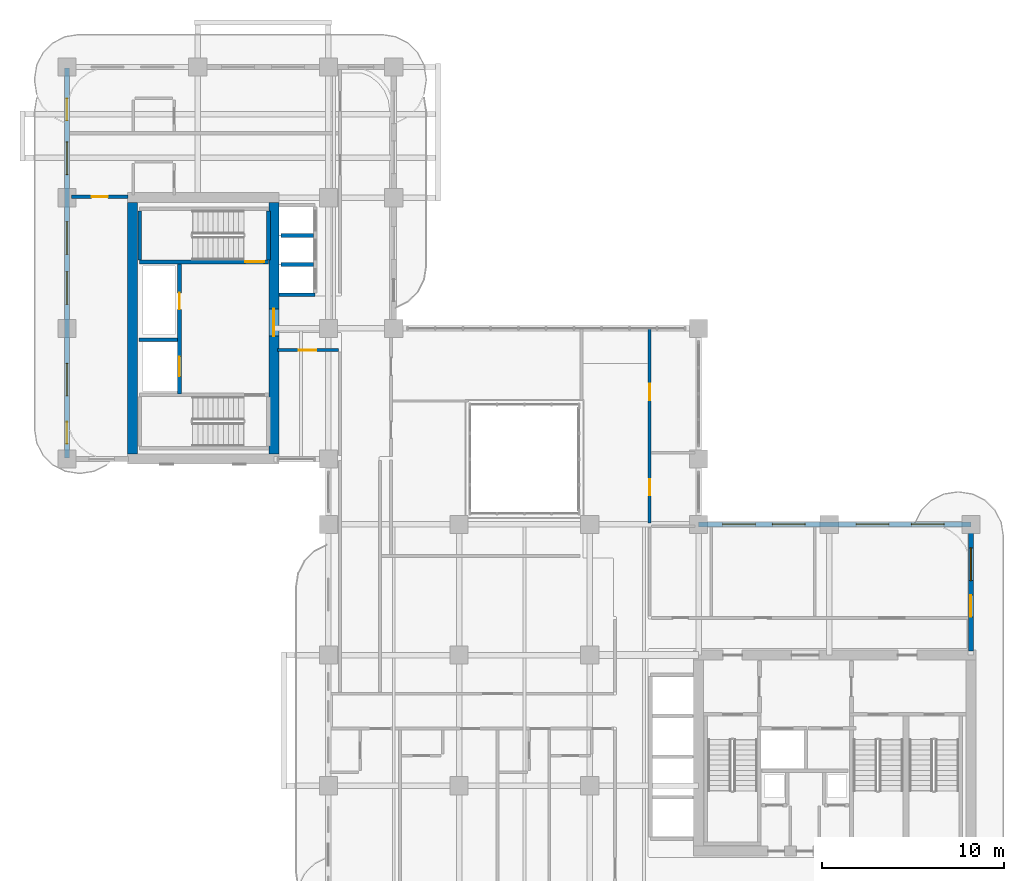
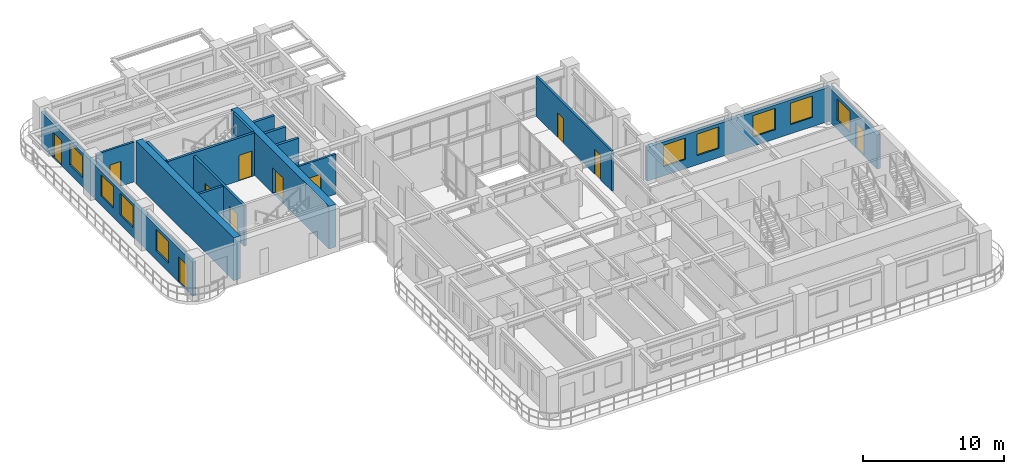
# One storey, part 14 of 20: 16 walls, 11 doors, 9 windows, 20 openings.
"""IFC4 building model written with IfcOpenShell, lengths in metres."""

from ifc_helpers import new_model, si_unit, derived_unit, direction, frame, frame_2d, origin, place, context, subcontext, project, spatial, rectangle, extrude, source, transform, mapped, material, layer, layer_set, type_object, type_shapes, element, fill, save


model = new_model("IFC4")

# Units and contexts
model_context = context("Model", 3, precision=1e-05, world=origin(), true_north=direction((0.0, 1.0)))
body_context = subcontext(model_context, "Body", "Model", "MODEL_VIEW")
ifc_project = project(units=[si_unit("LENGTHUNIT", "METRE"), si_unit("AREAUNIT", "SQUARE_METRE"), si_unit("VOLUMEUNIT", "CUBIC_METRE"), si_unit("PLANEANGLEUNIT", "RADIAN"), si_unit("MASSUNIT", "GRAM", prefix="KILO"), si_unit("THERMODYNAMICTEMPERATUREUNIT", "KELVIN"), si_unit("POWERUNIT", "WATT"), derived_unit("THERMALTRANSMITTANCEUNIT", [(si_unit("POWERUNIT", "WATT"), 1), (si_unit("AREAUNIT", "SQUARE_METRE"), -1), (si_unit("THERMODYNAMICTEMPERATUREUNIT", "KELVIN"), -1)])], contexts=[model_context])

# Site, building, storey
site_placement = place(None, origin())
site = spatial("IfcSite", under=ifc_project, at=site_placement, CompositionType="ELEMENT")
building_placement = place(site_placement, origin())
building = spatial("IfcBuilding", under=site, at=building_placement, Name="Zahravan Archway Hotel and Residences", CompositionType="ELEMENT")
storey_placement = place(building_placement, frame((0.0, 0.0, 126.60009765625)))
storey = spatial("IfcBuildingStorey", under=building, at=storey_placement, Name="L31", CompositionType="ELEMENT", Elevation=126.60009765625)

# Wall
ifc_material_1 = material(Name="Concrete C70/85", Category="concrete")
ifc_layer_1 = layer(ifc_material_1, 0.550048828125, Name="Concrete C70/85", Category="concrete")
ifc_layer_set_1 = layer_set([ifc_layer_1], Name="Concrete C70/85")
wall_type_1 = type_object("IfcWallType", Name="CW-CORE-550", PredefinedType="SHEAR", material=ifc_layer_set_1)
wall_1_placement = place(storey_placement, frame((3.60009765625, 25.47509765625, 0.0), z_axis=(0.0, 0.0, 1.0), x_axis=(0.0, 1.0, 0.0)))
element("IfcWall", 1, at=wall_1_placement, inside=storey, type_object=wall_type_1, Name="L31 Core B Shear W Wall 550 mm", PredefinedType="SHEAR", context=body_context, shape_type="SweptSolid", body=[
    extrude(rectangle(XDim=13.849853515625, YDim=0.550048828125, at=frame_2d((6.9248046875, 0.0))), origin(), (0.0, 0.0, 1.0), 3.699951171875),
])

# Wall, opening, door
wall_2_placement = place(storey_placement, frame((11.39990234375, 25.47509765625, 0.0), z_axis=(0.0, 0.0, 1.0), x_axis=(0.0, 1.0, 0.0)))
wall_2 = element("IfcWall", 2, at=wall_2_placement, inside=storey, type_object=wall_type_1, Name="L31 Core B Shear E Wall 550 mm", PredefinedType="SHEAR", context=body_context, shape_type="SweptSolid", body=[
    extrude(rectangle(XDim=13.849853515625, YDim=0.550048828125, at=frame_2d((6.9248046875, 0.0))), origin(), (0.0, 0.0, 1.0), 3.699951171875),
])
opening_1_placement = place(wall_2_placement, frame((6.4951171875, 0.0, 0.0)))
opening_1 = element("IfcOpeningElement", 3, at=opening_1_placement, cuts=wall_2, Name="Opening FD-L1", PredefinedType="OPENING", context=body_context, shape_type="SweptSolid", body=[
    extrude(rectangle(XDim=1.5, YDim=2.199951171875, at=frame_2d((0.75, 1.10009765625))), frame((0.0, 0.28515625, 0.0), z_axis=(0.0, -1.0, 0.0), x_axis=(1.0, 0.0, 0.0)), (0.0, 0.0, 1.0), 0.570068359375),
])
ifc_material_2 = material(Name="Fire-Rated Painted Steel", Category="steel")
door_type_1 = type_object("IfcDoorType", Name="FD-LOBBY-1500", OperationType="DOUBLE_DOOR_SINGLE_SWING", PredefinedType="DOOR", material=ifc_material_2)
shared_shape_1 = source(origin(), body_context, "Body", "SweptSolid", [
    extrude(rectangle(XDim=1.5, YDim=2.199951171875, at=frame_2d((0.75, 1.10009765625))), frame((0.0, 0.02490234375, 0.0), z_axis=(0.0, -1.0, 0.0), x_axis=(1.0, 0.0, 0.0)), (0.0, 0.0, 1.0), 0.050048828125),
])
type_shapes(door_type_1, [shared_shape_1])
door_1_placement = place(opening_1_placement, origin())
door_1 = element("IfcDoor", 4, at=door_1_placement, inside=storey, type_object=door_type_1, Name="L31 Core B FSAE Lobby Door", OperationType="DOUBLE_DOOR_SINGLE_SWING", OverallHeight=2.199951171875, OverallWidth=1.5, PredefinedType="DOOR", context=body_context, shape_type="MappedRepresentation", body=[
    mapped(shared_shape_1, transform((0.0, 0.0, 0.0), scale=1.0)),
])
fill(opening_1, door_1)

# Wall, openings, door, window
ifc_material_3 = material(Name="Honed Red-Ochre Sandstone & Insulated Block", Category="masonry")
ifc_layer_2 = layer(ifc_material_3, 0.280029296875, Name="Honed Red-Ochre Sandstone & Insulated Block", Category="masonry")
ifc_layer_set_2 = layer_set([ifc_layer_2], Name="Honed Red-Ochre Sandstone & Insulated Block")
wall_type_2 = type_object("IfcWallType", Name="EW-LOG-280", PredefinedType="SOLIDWALL", material=ifc_layer_set_2)
wall_3_placement = place(storey_placement, frame((49.800048828125, 14.6201171875, 0.0), z_axis=(0.0, 0.0, 1.0), x_axis=(0.0, 1.0, 0.0)))
wall_3 = element("IfcWall", 5, at=wall_3_placement, inside=storey, type_object=wall_type_2, Name="L31 Exterior Sandstone Wall WA-EN", PredefinedType="SOLIDWALL", context=body_context, shape_type="SweptSolid", body=[
    extrude(rectangle(XDim=6.929931640625, YDim=0.280029296875, at=frame_2d((3.46484375, 0.0))), origin(), (0.0, 0.0, 1.0), 2.934814453125),
])
opening_2_placement = place(wall_3_placement, frame((1.888916015625, 0.0, 0.0)))
opening_2 = element("IfcOpeningElement", 6, at=opening_2_placement, cuts=wall_3, Name="Opening ED-BL1", PredefinedType="OPENING", context=body_context, shape_type="SweptSolid", body=[
    extrude(rectangle(XDim=1.199951171875, YDim=2.199951171875, at=frame_2d((0.60009765625, 1.10009765625))), frame((0.0, 0.14990234375, 0.0), z_axis=(0.0, -1.0, 0.0), x_axis=(1.0, 0.0, 0.0)), (0.0, 0.0, 1.0), 0.300048828125),
])
opening_3_placement = place(wall_3_placement, frame((3.884033203125, 0.0, 0.800048828125)))
opening_3 = element("IfcOpeningElement", 7, at=opening_3_placement, cuts=wall_3, Name="Opening W-02", PredefinedType="OPENING", context=body_context, shape_type="SweptSolid", body=[
    extrude(rectangle(XDim=1.800048828125, YDim=1.85009765625, at=frame_2d((0.89990234375, 0.925048828125))), frame((0.0, 0.14990234375, 0.0), z_axis=(0.0, -1.0, 0.0), x_axis=(1.0, 0.0, 0.0)), (0.0, 0.0, 1.0), 0.300048828125),
])
ifc_material_4 = material(Name="Bronze-Anodized Glazed Aluminium", Category="aluminium")
door_type_2 = type_object("IfcDoorType", Name="ED-BALC-1200", OperationType="SLIDING_TO_LEFT", PredefinedType="DOOR", material=ifc_material_4)
shared_shape_2 = source(origin(), body_context, "Body", "SweptSolid", [
    extrude(rectangle(XDim=1.199951171875, YDim=2.199951171875, at=frame_2d((0.60009765625, 1.10009765625))), frame((0.0, 0.02490234375, 0.0), z_axis=(0.0, -1.0, 0.0), x_axis=(1.0, 0.0, 0.0)), (0.0, 0.0, 1.0), 0.050048828125),
])
type_shapes(door_type_2, [shared_shape_2])
door_2_placement = place(opening_2_placement, origin())
door_2 = element("IfcDoor", 8, at=door_2_placement, inside=storey, type_object=door_type_2, Name="L31 Outdoor Access Sliding Door (SLB-BAL-L31-EA)", OperationType="SLIDING_TO_LEFT", OverallHeight=2.199951171875, OverallWidth=1.199951171875, PredefinedType="DOOR", context=body_context, shape_type="MappedRepresentation", body=[
    mapped(shared_shape_2, transform((0.0, 0.0, 0.0), scale=1.0)),
])
fill(opening_2, door_2)
ifc_material_5 = material(Name="Bronze-Anodized Thermal-Break Aluminium & Low-E Glass", Category="aluminium")
window_type = type_object("IfcWindowType", Name="WIN-TWR-1800", PartitioningType="DOUBLE_PANEL_VERTICAL", PredefinedType="WINDOW", material=ifc_material_5)
shared_shape_3 = source(origin(), body_context, "Body", "SweptSolid", [
    extrude(rectangle(XDim=1.800048828125, YDim=1.85009765625, at=frame_2d((0.89990234375, 0.925048828125))), frame((0.0, 0.030029296875, 0.0), z_axis=(0.0, -1.0, 0.0), x_axis=(1.0, 0.0, 0.0)), (0.0, 0.0, 1.0), 0.06005859375),
])
type_shapes(window_type, [shared_shape_3])
window_1_placement = place(opening_3_placement, origin())
window_1 = element("IfcWindow", 9, at=window_1_placement, inside=storey, type_object=window_type, Name="L31 Loggia Window 11", OverallHeight=1.85009765625, OverallWidth=1.800048828125, PartitioningType="DOUBLE_PANEL_VERTICAL", PredefinedType="WINDOW", context=body_context, shape_type="MappedRepresentation", body=[
    mapped(shared_shape_3, transform((0.0, 0.0, 0.0), scale=1.0)),
])
fill(opening_3, window_1)

# Wall, openings, windows
wall_4_placement = place(storey_placement, frame((34.800048828125, 21.60009765625, 0.0), z_axis=(0.0, 0.0, 1.0), x_axis=(1.0, 0.0, 0.0)))
wall_4 = element("IfcWall", 10, at=wall_4_placement, inside=storey, type_object=wall_type_2, Name="L31 Exterior Sandstone Wall WA-NE", PredefinedType="SOLIDWALL", context=body_context, shape_type="SweptSolid", body=[
    extrude(rectangle(XDim=15.0, YDim=0.280029296875, at=frame_2d((7.5, 0.0))), origin(), (0.0, 0.0, 1.0), 2.934814453125),
])
opening_4_placement = place(wall_4_placement, frame((1.322998046875, 0.0, 0.800048828125)))
opening_4 = element("IfcOpeningElement", 11, at=opening_4_placement, cuts=wall_4, Name="Opening W-02", PredefinedType="OPENING", context=body_context, shape_type="SweptSolid", body=[
    extrude(rectangle(XDim=1.800048828125, YDim=1.85009765625, at=frame_2d((0.89990234375, 0.925048828125))), frame((0.0, 0.14990234375, 0.0), z_axis=(0.0, -1.0, 0.0), x_axis=(1.0, 0.0, 0.0)), (0.0, 0.0, 1.0), 0.300048828125),
])
opening_5_placement = place(wall_4_placement, frame((4.069091796875, 0.0, 0.800048828125)))
opening_5 = element("IfcOpeningElement", 12, at=opening_5_placement, cuts=wall_4, Name="Opening W-02", PredefinedType="OPENING", context=body_context, shape_type="SweptSolid", body=[
    extrude(rectangle(XDim=1.800048828125, YDim=1.85009765625, at=frame_2d((0.89990234375, 0.925048828125))), frame((0.0, 0.14990234375, 0.0), z_axis=(0.0, -1.0, 0.0), x_axis=(1.0, 0.0, 0.0)), (0.0, 0.0, 1.0), 0.300048828125),
])
opening_6_placement = place(wall_4_placement, frame((8.675048828125, 0.0, 0.800048828125)))
opening_6 = element("IfcOpeningElement", 13, at=opening_6_placement, cuts=wall_4, Name="Opening W-02", PredefinedType="OPENING", context=body_context, shape_type="SweptSolid", body=[
    extrude(rectangle(XDim=1.800048828125, YDim=1.85009765625, at=frame_2d((0.89990234375, 0.925048828125))), frame((0.0, 0.14990234375, 0.0), z_axis=(0.0, -1.0, 0.0), x_axis=(1.0, 0.0, 0.0)), (0.0, 0.0, 1.0), 0.300048828125),
])
opening_7_placement = place(wall_4_placement, frame((11.72509765625, 0.0, 0.800048828125)))
opening_7 = element("IfcOpeningElement", 14, at=opening_7_placement, cuts=wall_4, Name="Opening W-02", PredefinedType="OPENING", context=body_context, shape_type="SweptSolid", body=[
    extrude(rectangle(XDim=1.800048828125, YDim=1.85009765625, at=frame_2d((0.89990234375, 0.925048828125))), frame((0.0, 0.14990234375, 0.0), z_axis=(0.0, -1.0, 0.0), x_axis=(1.0, 0.0, 0.0)), (0.0, 0.0, 1.0), 0.300048828125),
])
window_2_placement = place(opening_4_placement, origin())
window_2 = element("IfcWindow", 15, at=window_2_placement, inside=storey, type_object=window_type, Name="L31 Loggia Window 12", OverallHeight=1.85009765625, OverallWidth=1.800048828125, PartitioningType="DOUBLE_PANEL_VERTICAL", PredefinedType="WINDOW", context=body_context, shape_type="MappedRepresentation", body=[
    mapped(shared_shape_3, transform((0.0, 0.0, 0.0), scale=1.0)),
])
fill(opening_4, window_2)
window_3_placement = place(opening_5_placement, origin())
window_3 = element("IfcWindow", 16, at=window_3_placement, inside=storey, type_object=window_type, Name="L31 Loggia Window 13", OverallHeight=1.85009765625, OverallWidth=1.800048828125, PartitioningType="DOUBLE_PANEL_VERTICAL", PredefinedType="WINDOW", context=body_context, shape_type="MappedRepresentation", body=[
    mapped(shared_shape_3, transform((0.0, 0.0, 0.0), scale=1.0)),
])
fill(opening_5, window_3)
window_4_placement = place(opening_6_placement, origin())
window_4 = element("IfcWindow", 17, at=window_4_placement, inside=storey, type_object=window_type, Name="L31 Loggia Window 14", OverallHeight=1.85009765625, OverallWidth=1.800048828125, PartitioningType="DOUBLE_PANEL_VERTICAL", PredefinedType="WINDOW", context=body_context, shape_type="MappedRepresentation", body=[
    mapped(shared_shape_3, transform((0.0, 0.0, 0.0), scale=1.0)),
])
fill(opening_6, window_4)
window_5_placement = place(opening_7_placement, origin())
window_5 = element("IfcWindow", 18, at=window_5_placement, inside=storey, type_object=window_type, Name="L31 Loggia Window 15", OverallHeight=1.85009765625, OverallWidth=1.800048828125, PartitioningType="DOUBLE_PANEL_VERTICAL", PredefinedType="WINDOW", context=body_context, shape_type="MappedRepresentation", body=[
    mapped(shared_shape_3, transform((0.0, 0.0, 0.0), scale=1.0)),
])
fill(opening_7, window_5)

# Wall, openings, doors, windows
wall_5_placement = place(storey_placement, frame((0.0, 25.25, 0.0), z_axis=(0.0, 0.0, 1.0), x_axis=(0.0, 1.0, 0.0)))
wall_5 = element("IfcWall", 19, at=wall_5_placement, inside=storey, type_object=wall_type_2, Name="L31 Exterior Sandstone Wall WB-W", PredefinedType="SOLIDWALL", context=body_context, shape_type="SweptSolid", body=[
    extrude(rectangle(XDim=21.5, YDim=0.280029296875, at=frame_2d((10.75, 0.0))), origin(), (0.0, 0.0, 1.0), 2.934814453125),
])
opening_8_placement = place(wall_5_placement, frame((18.60693359375, 0.0, 0.0)))
opening_8 = element("IfcOpeningElement", 20, at=opening_8_placement, cuts=wall_5, Name="Opening ED-BL1", PredefinedType="OPENING", context=body_context, shape_type="SweptSolid", body=[
    extrude(rectangle(XDim=1.199951171875, YDim=2.199951171875, at=frame_2d((0.60009765625, 1.10009765625))), frame((0.0, 0.14990234375, 0.0), z_axis=(0.0, -1.0, 0.0), x_axis=(1.0, 0.0, 0.0)), (0.0, 0.0, 1.0), 0.300048828125),
])
opening_9_placement = place(wall_5_placement, frame((0.800048828125, 0.0, 0.0)))
opening_9 = element("IfcOpeningElement", 21, at=opening_9_placement, cuts=wall_5, Name="Opening ED-BL1", PredefinedType="OPENING", context=body_context, shape_type="SweptSolid", body=[
    extrude(rectangle(XDim=1.199951171875, YDim=2.199951171875, at=frame_2d((0.60009765625, 1.10009765625))), frame((0.0, 0.14990234375, 0.0), z_axis=(0.0, -1.0, 0.0), x_axis=(1.0, 0.0, 0.0)), (0.0, 0.0, 1.0), 0.300048828125),
])
opening_10_placement = place(wall_5_placement, frame((3.425048828125, 0.0, 0.800048828125)))
opening_10 = element("IfcOpeningElement", 22, at=opening_10_placement, cuts=wall_5, Name="Opening W-02", PredefinedType="OPENING", context=body_context, shape_type="SweptSolid", body=[
    extrude(rectangle(XDim=1.800048828125, YDim=1.85009765625, at=frame_2d((0.89990234375, 0.925048828125))), frame((0.0, 0.14990234375, 0.0), z_axis=(0.0, -1.0, 0.0), x_axis=(1.0, 0.0, 0.0)), (0.0, 0.0, 1.0), 0.300048828125),
])
opening_11_placement = place(wall_5_placement, frame((8.47509765625, 0.0, 0.800048828125)))
opening_11 = element("IfcOpeningElement", 23, at=opening_11_placement, cuts=wall_5, Name="Opening W-02", PredefinedType="OPENING", context=body_context, shape_type="SweptSolid", body=[
    extrude(rectangle(XDim=1.800048828125, YDim=1.85009765625, at=frame_2d((0.89990234375, 0.925048828125))), frame((0.0, 0.14990234375, 0.0), z_axis=(0.0, -1.0, 0.0), x_axis=(1.0, 0.0, 0.0)), (0.0, 0.0, 1.0), 0.300048828125),
])
opening_12_placement = place(wall_5_placement, frame((11.22509765625, 0.0, 0.800048828125)))
opening_12 = element("IfcOpeningElement", 24, at=opening_12_placement, cuts=wall_5, Name="Opening W-02", PredefinedType="OPENING", context=body_context, shape_type="SweptSolid", body=[
    extrude(rectangle(XDim=1.800048828125, YDim=1.85009765625, at=frame_2d((0.89990234375, 0.925048828125))), frame((0.0, 0.14990234375, 0.0), z_axis=(0.0, -1.0, 0.0), x_axis=(1.0, 0.0, 0.0)), (0.0, 0.0, 1.0), 0.300048828125),
])
opening_13_placement = place(wall_5_placement, frame((15.62109375, 0.0, 0.800048828125)))
opening_13 = element("IfcOpeningElement", 25, at=opening_13_placement, cuts=wall_5, Name="Opening W-02", PredefinedType="OPENING", context=body_context, shape_type="SweptSolid", body=[
    extrude(rectangle(XDim=1.800048828125, YDim=1.85009765625, at=frame_2d((0.89990234375, 0.925048828125))), frame((0.0, 0.14990234375, 0.0), z_axis=(0.0, -1.0, 0.0), x_axis=(1.0, 0.0, 0.0)), (0.0, 0.0, 1.0), 0.300048828125),
])
door_3_placement = place(opening_8_placement, origin())
door_3 = element("IfcDoor", 26, at=door_3_placement, inside=storey, type_object=door_type_2, Name="L31 Outdoor Access Sliding Door (SLB-BAL-L31-NB)", OperationType="SLIDING_TO_LEFT", OverallHeight=2.199951171875, OverallWidth=1.199951171875, PredefinedType="DOOR", context=body_context, shape_type="MappedRepresentation", body=[
    mapped(shared_shape_2, transform((0.0, 0.0, 0.0), scale=1.0)),
])
fill(opening_8, door_3)
door_4_placement = place(opening_9_placement, origin())
door_4 = element("IfcDoor", 27, at=door_4_placement, inside=storey, type_object=door_type_2, Name="L31 Outdoor Access Sliding Door (SLB-BAL-L31-WB)", OperationType="SLIDING_TO_LEFT", OverallHeight=2.199951171875, OverallWidth=1.199951171875, PredefinedType="DOOR", context=body_context, shape_type="MappedRepresentation", body=[
    mapped(shared_shape_2, transform((0.0, 0.0, 0.0), scale=1.0)),
])
fill(opening_9, door_4)
window_6_placement = place(opening_10_placement, origin())
window_6 = element("IfcWindow", 28, at=window_6_placement, inside=storey, type_object=window_type, Name="L31 Loggia Window 23", OverallHeight=1.85009765625, OverallWidth=1.800048828125, PartitioningType="DOUBLE_PANEL_VERTICAL", PredefinedType="WINDOW", context=body_context, shape_type="MappedRepresentation", body=[
    mapped(shared_shape_3, transform((0.0, 0.0, 0.0), scale=1.0)),
])
fill(opening_10, window_6)
window_7_placement = place(opening_11_placement, origin())
window_7 = element("IfcWindow", 29, at=window_7_placement, inside=storey, type_object=window_type, Name="L31 Loggia Window 24", OverallHeight=1.85009765625, OverallWidth=1.800048828125, PartitioningType="DOUBLE_PANEL_VERTICAL", PredefinedType="WINDOW", context=body_context, shape_type="MappedRepresentation", body=[
    mapped(shared_shape_3, transform((0.0, 0.0, 0.0), scale=1.0)),
])
fill(opening_11, window_7)
window_8_placement = place(opening_12_placement, origin())
window_8 = element("IfcWindow", 30, at=window_8_placement, inside=storey, type_object=window_type, Name="L31 Loggia Window 25", OverallHeight=1.85009765625, OverallWidth=1.800048828125, PartitioningType="DOUBLE_PANEL_VERTICAL", PredefinedType="WINDOW", context=body_context, shape_type="MappedRepresentation", body=[
    mapped(shared_shape_3, transform((0.0, 0.0, 0.0), scale=1.0)),
])
fill(opening_12, window_8)
window_9_placement = place(opening_13_placement, origin())
window_9 = element("IfcWindow", 31, at=window_9_placement, inside=storey, type_object=window_type, Name="L31 Loggia Window 26", OverallHeight=1.85009765625, OverallWidth=1.800048828125, PartitioningType="DOUBLE_PANEL_VERTICAL", PredefinedType="WINDOW", context=body_context, shape_type="MappedRepresentation", body=[
    mapped(shared_shape_3, transform((0.0, 0.0, 0.0), scale=1.0)),
])
fill(opening_13, window_9)

# Wall, openings, doors
ifc_material_6 = material(Name="Fire-Rated Gypsum & Concrete Block", Category="concrete")
ifc_layer_3 = layer(ifc_material_6, 0.199951171875, Name="Fire-Rated Gypsum & Concrete Block", Category="concrete")
ifc_layer_set_3 = layer_set([ifc_layer_3], Name="Fire-Rated Gypsum & Concrete Block")
wall_type_3 = type_object("IfcWallType", Name="PW-SHAFT-200", PredefinedType="PARTITIONING", material=ifc_layer_set_3)
wall_6_placement = place(storey_placement, frame((6.199951171875, 28.7900390625, 0.0), z_axis=(0.0, 0.0, 1.0), x_axis=(0.0, 1.0, 0.0)))
wall_6 = element("IfcWall", 32, at=wall_6_placement, inside=storey, type_object=wall_type_3, Name="L31 Partition CB-FL3E", PredefinedType="PARTITIONING", context=body_context, shape_type="SweptSolid", body=[
    extrude(rectangle(XDim=7.219970703125, YDim=0.199951171875, at=frame_2d((3.60986328125, 0.0))), origin(), (0.0, 0.0, 1.0), 3.449951171875),
])
opening_14_placement = place(wall_6_placement, frame((4.659912109375, 0.0, 0.0)))
opening_14 = element("IfcOpeningElement", 33, at=opening_14_placement, cuts=wall_6, Name="Opening FD-R1", PredefinedType="OPENING", context=body_context, shape_type="SweptSolid", body=[
    extrude(rectangle(XDim=0.89990234375, YDim=2.10009765625, at=frame_2d((0.449951171875, 1.050048828125))), frame((0.0, 0.10986328125, 0.0), z_axis=(0.0, -1.0, 0.0), x_axis=(1.0, 0.0, 0.0)), (0.0, 0.0, 1.0), 0.219970703125),
])
opening_15_placement = place(wall_6_placement, frame((0.9599609375, 0.0, 0.0)))
opening_15 = element("IfcOpeningElement", 34, at=opening_15_placement, cuts=wall_6, Name="Opening LD", PredefinedType="OPENING", context=body_context, shape_type="SweptSolid", body=[
    extrude(rectangle(XDim=1.10009765625, YDim=2.199951171875, at=frame_2d((0.550048828125, 1.10009765625))), frame((0.0, 0.10986328125, 0.0), z_axis=(0.0, -1.0, 0.0), x_axis=(1.0, 0.0, 0.0)), (0.0, 0.0, 1.0), 0.219970703125),
])
door_type_3 = type_object("IfcDoorType", Name="FD-RISER-900", OperationType="NOTDEFINED", PredefinedType="DOOR", material=ifc_material_2)
shared_shape_4 = source(origin(), body_context, "Body", "SweptSolid", [
    extrude(rectangle(XDim=0.89990234375, YDim=2.10009765625, at=frame_2d((0.449951171875, 1.050048828125))), frame((0.0, 0.02490234375, 0.0), z_axis=(0.0, -1.0, 0.0), x_axis=(1.0, 0.0, 0.0)), (0.0, 0.0, 1.0), 0.050048828125),
])
type_shapes(door_type_3, [shared_shape_4])
door_5_placement = place(opening_14_placement, origin())
door_5 = element("IfcDoor", 35, at=door_5_placement, inside=storey, type_object=door_type_3, Name="L31 Core B Riser Door", OperationType="SINGLE_SWING_LEFT", OverallHeight=2.10009765625, OverallWidth=0.89990234375, PredefinedType="DOOR", context=body_context, shape_type="MappedRepresentation", body=[
    mapped(shared_shape_4, transform((0.0, 0.0, 0.0), scale=1.0)),
])
fill(opening_14, door_5)
ifc_material_7 = material(Name="Brushed Stainless Steel", Category="steel")
door_type_4 = type_object("IfcDoorType", Name="DR-LIFT-LD", OperationType="SLIDING_TO_LEFT", PredefinedType="DOOR", material=ifc_material_7)
shared_shape_5 = source(origin(), body_context, "Body", "SweptSolid", [
    extrude(rectangle(XDim=1.10009765625, YDim=2.199951171875, at=frame_2d((0.550048828125, 1.10009765625))), frame((0.0, 0.02490234375, 0.0), z_axis=(0.0, -1.0, 0.0), x_axis=(1.0, 0.0, 0.0)), (0.0, 0.0, 1.0), 0.050048828125),
])
type_shapes(door_type_4, [shared_shape_5])
door_6_placement = place(opening_15_placement, origin())
door_6 = element("IfcDoor", 36, at=door_6_placement, inside=storey, type_object=door_type_4, Name="L31 Lift FL-3 Sliding Landing Door", OperationType="SLIDING_TO_LEFT", OverallHeight=2.199951171875, OverallWidth=1.10009765625, PredefinedType="DOOR", context=body_context, shape_type="MappedRepresentation", body=[
    mapped(shared_shape_5, transform((0.0, 0.0, 0.0), scale=1.0)),
])
fill(opening_15, door_6)

# Walls
wall_7_placement = place(storey_placement, frame((3.9599609375, 31.780029296875, 0.0), z_axis=(0.0, 0.0, 1.0), x_axis=(1.0, 0.0, 0.0)))
element("IfcWall", 37, at=wall_7_placement, inside=storey, type_object=wall_type_3, Name="L31 Partition CB-FL3N", PredefinedType="PARTITIONING", context=body_context, shape_type="SweptSolid", body=[
    extrude(rectangle(XDim=2.130126953125, YDim=0.199951171875, at=frame_2d((1.06494140625, 0.0))), origin(), (0.0, 0.0, 1.0), 3.449951171875),
])
wall_8_placement = place(storey_placement, frame((11.68505859375, 34.25, 0.0), z_axis=(0.0, 0.0, 1.0), x_axis=(1.0, 0.0, 0.0)))
element("IfcWall", 38, at=wall_8_placement, inside=storey, type_object=wall_type_3, Name="L31 Partition B2-S", PredefinedType="PARTITIONING", context=body_context, shape_type="SweptSolid", body=[
    extrude(rectangle(XDim=1.98486328125, YDim=0.199951171875, at=frame_2d((0.992431640625, 0.0))), origin(), (0.0, 0.0, 1.0), 3.449951171875),
])
for number, where, z_axis, x_axis, name in (
    (39, (11.784912109375, 35.919921875, 0.0), (0.0, 0.0, 1.0), (1.0, 0.0, 0.0), "L31 Partition B2-D"),
    (40, (11.784912109375, 37.52001953125, 0.0), (0.0, 0.0, 1.0), (1.0, 0.0, 0.0), "L31 Partition B2-D"),
):
    element("IfcWall", number, at=place(storey_placement, frame(where, z_axis=z_axis, x_axis=x_axis)), inside=storey, type_object=wall_type_3, Name=name, PredefinedType="PARTITIONING", context=body_context, shape_type="SweptSolid", body=[
        extrude(rectangle(XDim=1.78515625, YDim=0.199951171875, at=frame_2d((0.892578125, 0.0))), origin(), (0.0, 0.0, 1.0), 3.449951171875),
    ])

# Wall, opening, door
ifc_material_8 = material(Name="Acoustic Stud Partition")
ifc_layer_4 = layer(ifc_material_8, 0.169921875, Name="Acoustic Stud Partition")
ifc_layer_set_4 = layer_set([ifc_layer_4], Name="Acoustic Stud Partition")
wall_type_4 = type_object("IfcWallType", Name="PW-UNIT-170", PredefinedType="PARTITIONING", material=ifc_layer_set_4)
wall_9_placement = place(storey_placement, frame((0.239990234375, 39.64990234375, 0.0), z_axis=(0.0, 0.0, 1.0), x_axis=(1.0, 0.0, 0.0)))
wall_9 = element("IfcWall", 41, at=wall_9_placement, inside=storey, type_object=wall_type_4, Name="L31 Partition WBW-N", PredefinedType="PARTITIONING", context=body_context, shape_type="SweptSolid", body=[
    extrude(rectangle(XDim=3.1201171875, YDim=0.169921875, at=frame_2d((1.56005859375, 0.0))), origin(), (0.0, 0.0, 1.0), 3.449951171875),
])
opening_16_placement = place(wall_9_placement, frame((1.110107421875, 0.0, 0.0)))
opening_16 = element("IfcOpeningElement", 42, at=opening_16_placement, cuts=wall_9, Name="Opening D-I2", PredefinedType="OPENING", context=body_context, shape_type="SweptSolid", body=[
    extrude(rectangle(XDim=0.89990234375, YDim=2.14990234375, at=frame_2d((0.449951171875, 1.074951171875))), frame((0.0, 0.094970703125, 0.0), z_axis=(0.0, -1.0, 0.0), x_axis=(1.0, 0.0, 0.0)), (0.0, 0.0, 1.0), 0.18994140625),
])
ifc_material_9 = material(Name="Hardwood Veneer Timber", Category="wood")
door_type_5 = type_object("IfcDoorType", Name="ID-INT-900", OperationType="NOTDEFINED", PredefinedType="DOOR", material=ifc_material_9)
shared_shape_6 = source(origin(), body_context, "Body", "SweptSolid", [
    extrude(rectangle(XDim=0.89990234375, YDim=2.14990234375, at=frame_2d((0.449951171875, 1.074951171875))), frame((0.0, 0.02490234375, 0.0), z_axis=(0.0, -1.0, 0.0), x_axis=(1.0, 0.0, 0.0)), (0.0, 0.0, 1.0), 0.050048828125),
])
type_shapes(door_type_5, [shared_shape_6])
door_7_placement = place(opening_16_placement, origin())
door_7 = element("IfcDoor", 43, at=door_7_placement, inside=storey, type_object=door_type_5, Name="L31 West Loggia Salon Door", OperationType="SINGLE_SWING_RIGHT", OverallHeight=2.14990234375, OverallWidth=0.89990234375, PredefinedType="DOOR", context=body_context, shape_type="MappedRepresentation", body=[
    mapped(shared_shape_6, transform((0.0, 0.0, 0.0), scale=1.0)),
])
fill(opening_16, door_7)

wall_10_placement = place(storey_placement, frame((11.590087890625, 31.199951171875, 0.0), z_axis=(0.0, 0.0, 1.0), x_axis=(1.0, 0.0, 0.0)))
wall_10 = element("IfcWall", 44, at=wall_10_placement, inside=storey, type_object=wall_type_4, Name="L31 Partition FB1-N", PredefinedType="PARTITIONING", context=body_context, shape_type="SweptSolid", body=[
    extrude(rectangle(XDim=3.369873046875, YDim=0.169921875, at=frame_2d((1.68505859375, 0.0))), origin(), (0.0, 0.0, 1.0), 3.449951171875),
])
opening_17_placement = place(wall_10_placement, frame((1.18505859375, 0.0, 0.0)))
opening_17 = element("IfcOpeningElement", 45, at=opening_17_placement, cuts=wall_10, Name="Opening D-I1", PredefinedType="OPENING", context=body_context, shape_type="SweptSolid", body=[
    extrude(rectangle(XDim=0.949951171875, YDim=2.14990234375, at=frame_2d((0.47509765625, 1.074951171875))), frame((0.0, 0.094970703125, 0.0), z_axis=(0.0, -1.0, 0.0), x_axis=(1.0, 0.0, 0.0)), (0.0, 0.0, 1.0), 0.18994140625),
])
door_type_6 = type_object("IfcDoorType", Name="ID-INT-950", OperationType="NOTDEFINED", PredefinedType="DOOR", material=ifc_material_9)
shared_shape_7 = source(origin(), body_context, "Body", "SweptSolid", [
    extrude(rectangle(XDim=0.949951171875, YDim=2.14990234375, at=frame_2d((0.47509765625, 1.074951171875))), frame((0.0, 0.02490234375, 0.0), z_axis=(0.0, -1.0, 0.0), x_axis=(1.0, 0.0, 0.0)), (0.0, 0.0, 1.0), 0.050048828125),
])
type_shapes(door_type_6, [shared_shape_7])
door_8_placement = place(opening_17_placement, origin())
door_8 = element("IfcDoor", 46, at=door_8_placement, inside=storey, type_object=door_type_6, Name="L31 Freed Bank 1 Reading Salon Door", OperationType="SINGLE_SWING_LEFT", OverallHeight=2.14990234375, OverallWidth=0.949951171875, PredefinedType="DOOR", context=body_context, shape_type="MappedRepresentation", body=[
    mapped(shared_shape_7, transform((0.0, 0.0, 0.0), scale=1.0)),
])
fill(opening_17, door_8)

# Wall, openings, doors
wall_11_placement = place(storey_placement, frame((32.10009765625, 21.669921875, 0.0), z_axis=(0.0, 0.0, 1.0), x_axis=(0.0, 1.0, 0.0)))
wall_11 = element("IfcWall", 47, at=wall_11_placement, inside=storey, type_object=wall_type_4, Name="L31 Partition ATR-E", PredefinedType="PARTITIONING", context=body_context, shape_type="SweptSolid", body=[
    extrude(rectangle(XDim=10.7021484375, YDim=0.169921875, at=frame_2d((5.35107421875, 0.0))), origin(), (0.0, 0.0, 1.0), 3.449951171875),
])
opening_18_placement = place(wall_11_placement, frame((1.530029296875, 0.0, 0.0)))
opening_18 = element("IfcOpeningElement", 48, at=opening_18_placement, cuts=wall_11, Name="Opening D-I2", PredefinedType="OPENING", context=body_context, shape_type="SweptSolid", body=[
    extrude(rectangle(XDim=0.89990234375, YDim=2.14990234375, at=frame_2d((0.449951171875, 1.074951171875))), frame((0.0, 0.094970703125, 0.0), z_axis=(0.0, -1.0, 0.0), x_axis=(1.0, 0.0, 0.0)), (0.0, 0.0, 1.0), 0.18994140625),
])
opening_19_placement = place(wall_11_placement, frame((6.780029296875, 0.0, 0.0)))
opening_19 = element("IfcOpeningElement", 49, at=opening_19_placement, cuts=wall_11, Name="Opening D-I2", PredefinedType="OPENING", context=body_context, shape_type="SweptSolid", body=[
    extrude(rectangle(XDim=0.89990234375, YDim=2.14990234375, at=frame_2d((0.449951171875, 1.074951171875))), frame((0.0, 0.094970703125, 0.0), z_axis=(0.0, -1.0, 0.0), x_axis=(1.0, 0.0, 0.0)), (0.0, 0.0, 1.0), 0.18994140625),
])
door_9_placement = place(opening_18_placement, origin())
door_9 = element("IfcDoor", 50, at=door_9_placement, inside=storey, type_object=door_type_5, Name="L31 Atrium Office Door", OperationType="SINGLE_SWING_RIGHT", OverallHeight=2.14990234375, OverallWidth=0.89990234375, PredefinedType="DOOR", context=body_context, shape_type="MappedRepresentation", body=[
    mapped(shared_shape_6, transform((0.0, 0.0, 0.0), scale=1.0)),
])
fill(opening_18, door_9)
door_10_placement = place(opening_19_placement, origin())
door_10 = element("IfcDoor", 51, at=door_10_placement, inside=storey, type_object=door_type_5, Name="L31 Atrium Boardroom Door", OperationType="SINGLE_SWING_LEFT", OverallHeight=2.14990234375, OverallWidth=0.89990234375, PredefinedType="DOOR", context=body_context, shape_type="MappedRepresentation", body=[
    mapped(shared_shape_6, transform((0.0, 0.0, 0.0), scale=1.0)),
])
fill(opening_19, door_10)

# Walls
ifc_material_10 = material(Name="Concrete C50/60", Category="concrete")
ifc_layer_5 = layer(ifc_material_10, 0.199951171875, Name="Concrete C50/60", Category="concrete")
ifc_layer_set_5 = layer_set([ifc_layer_5], Name="Concrete C50/60")
wall_type_5 = type_object("IfcWallType", Name="SW-STAIR-200", PredefinedType="SHEAR", material=ifc_layer_set_5)
for number, where, z_axis, x_axis, name in (
    (52, (4.0, 36.179931640625, 0.0), (0.0, 0.0, 1.0), (0.0, 1.0, 0.0), "L31 Stairwell RC Wall CB-SB2W"),
    (53, (11.10009765625, 36.179931640625, 0.0), (0.0, 0.0, 1.0), (0.0, 1.0, 0.0), "L31 Stairwell RC Wall CB-SB2E"),
):
    element("IfcWall", number, at=place(storey_placement, frame(where, z_axis=z_axis, x_axis=x_axis)), inside=storey, type_object=wall_type_5, Name=name, PredefinedType="SHEAR", context=body_context, shape_type="SweptSolid", body=[
        extrude(rectangle(XDim=2.699951171875, YDim=0.199951171875, at=frame_2d((1.35009765625, 0.0))), origin(), (0.0, 0.0, 1.0), 3.699951171875),
    ])

# Wall, opening, door
wall_12_placement = place(storey_placement, frame((4.0, 36.06005859375, 0.0), z_axis=(0.0, 0.0, 1.0), x_axis=(1.0, 0.0, 0.0)))
wall_12 = element("IfcWall", 54, at=wall_12_placement, inside=storey, type_object=wall_type_5, Name="L31 Stairwell RC Wall CB-SB2S", PredefinedType="SHEAR", context=body_context, shape_type="SweptSolid", body=[
    extrude(rectangle(XDim=7.10009765625, YDim=0.199951171875, at=frame_2d((3.550048828125, 0.0))), origin(), (0.0, 0.0, 1.0), 3.699951171875),
])
opening_20_placement = place(wall_12_placement, frame((5.81494140625, 0.0, 0.0)))
opening_20 = element("IfcOpeningElement", 55, at=opening_20_placement, cuts=wall_12, Name="Opening FD-S1", PredefinedType="OPENING", context=body_context, shape_type="SweptSolid", body=[
    extrude(rectangle(XDim=1.050048828125, YDim=2.199951171875, at=frame_2d((0.52490234375, 1.10009765625))), frame((0.0, 0.10986328125, 0.0), z_axis=(0.0, -1.0, 0.0), x_axis=(1.0, 0.0, 0.0)), (0.0, 0.0, 1.0), 0.219970703125),
])
door_type_7 = type_object("IfcDoorType", Name="FD-STAIR-1100", OperationType="NOTDEFINED", PredefinedType="DOOR", material=ifc_material_2)
shared_shape_8 = source(origin(), body_context, "Body", "SweptSolid", [
    extrude(rectangle(XDim=1.050048828125, YDim=2.199951171875, at=frame_2d((0.52490234375, 1.10009765625))), frame((0.0, 0.02490234375, 0.0), z_axis=(0.0, -1.0, 0.0), x_axis=(1.0, 0.0, 0.0)), (0.0, 0.0, 1.0), 0.050048828125),
])
type_shapes(door_type_7, [shared_shape_8])
door_11_placement = place(opening_20_placement, origin())
door_11 = element("IfcDoor", 56, at=door_11_placement, inside=storey, type_object=door_type_7, Name="L31 Stair ST-B2 Door", OperationType="SINGLE_SWING_RIGHT", OverallHeight=2.199951171875, OverallWidth=1.050048828125, PredefinedType="DOOR", context=body_context, shape_type="MappedRepresentation", body=[
    mapped(shared_shape_8, transform((0.0, 0.0, 0.0), scale=1.0)),
])
fill(opening_20, door_11)

save(model, "model.ifc")
